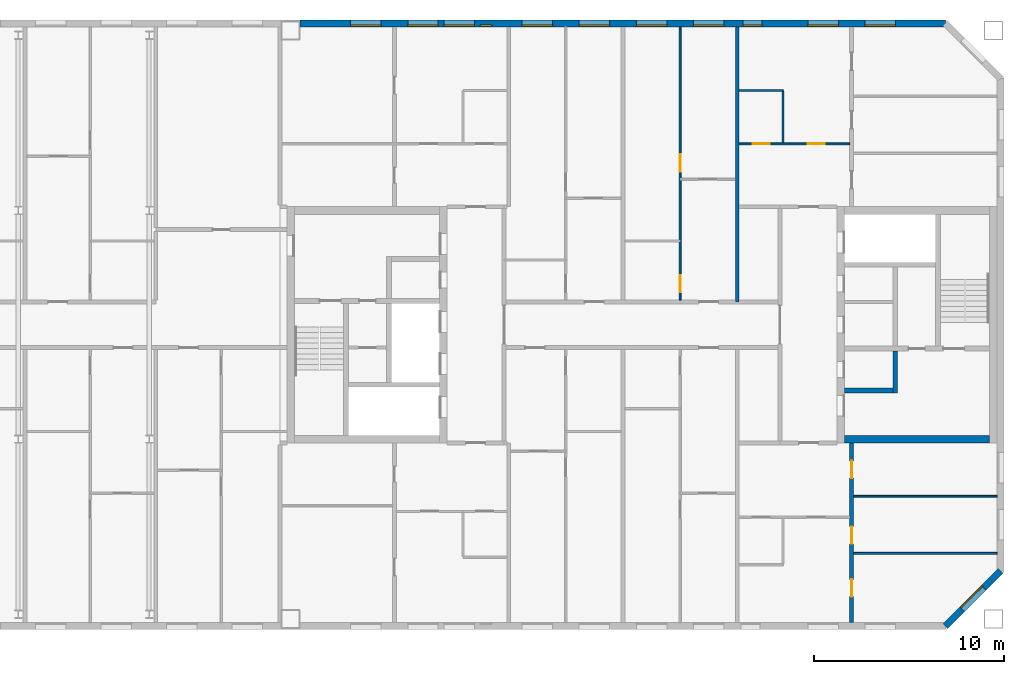
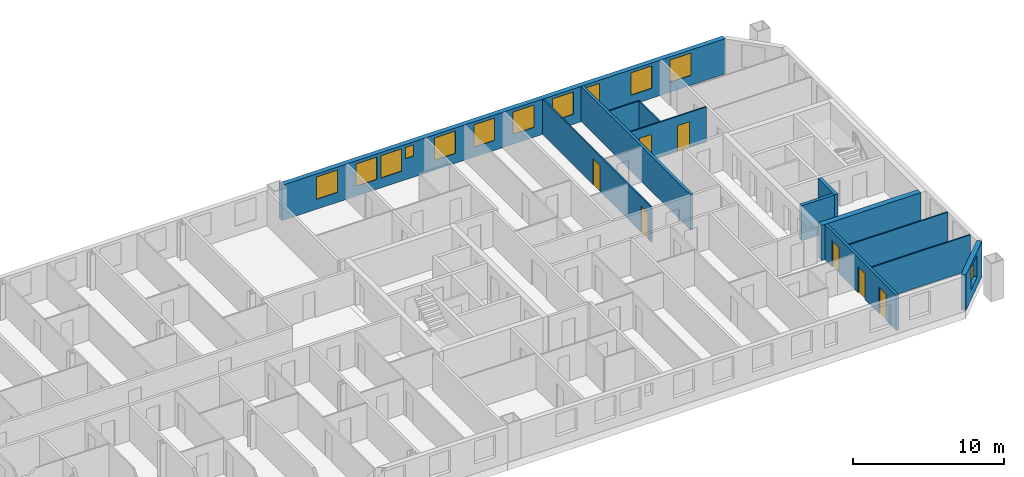
# One storey, part 16 of 19: 13 walls, 12 windows, 7 doors, 19 openings.
"""IFC4 building model written with IfcOpenShell, lengths in metres."""

from ifc_helpers import new_model, si_unit, direction, frame, frame_2d, origin, place, context, subcontext, project, spatial, rectangle, extrude, material, layer, layer_set, type_object, element, fill, save


model = new_model("IFC4")

# Units and contexts
model_context = context("Model", 3, precision=1e-05, world=origin(), true_north=direction((0.0, 1.0)))
body_context = subcontext(model_context, "Body", "Model", "MODEL_VIEW")
ifc_project = project(units=[si_unit("LENGTHUNIT", "METRE"), si_unit("AREAUNIT", "SQUARE_METRE"), si_unit("VOLUMEUNIT", "CUBIC_METRE"), si_unit("PLANEANGLEUNIT", "RADIAN"), si_unit("MASSUNIT", "GRAM", prefix="KILO")], contexts=[model_context])

# Site, building, storey
site_placement = place(None, origin())
site = spatial("IfcSite", under=ifc_project, at=site_placement, CompositionType="ELEMENT")
building_placement = place(site_placement, origin())
building = spatial("IfcBuilding", under=site, at=building_placement, Name="Tuart Gate Housing", CompositionType="ELEMENT")
storey_placement = place(building_placement, frame((0.0, 0.0, 221.39990234375)))
storey = spatial("IfcBuildingStorey", under=building, at=storey_placement, Name="L62", CompositionType="ELEMENT", Elevation=221.39990234375)

# Wall, opening, window
ifc_material_1 = material(Name="Brick", Category="masonry")
ifc_layer_1 = layer(ifc_material_1, 0.360107421875)
ifc_layer_set_1 = layer_set([ifc_layer_1], Name="Brick pier and spandrel wall 360")
wall_type_1 = type_object("IfcWallType", Name="Brick pier and spandrel wall 360", PredefinedType="STANDARD", material=ifc_layer_set_1)
wall_1_placement = place(storey_placement, frame((165.92529296875, 54.179931640625, 0.0), z_axis=(0.0, 0.0, 1.0), x_axis=(0.707106781187, 0.707106781187, 0.0)))
wall_1 = element("IfcWall", 1, at=wall_1_placement, inside=storey, type_object=wall_type_1, Name="External wall BLK-SE L62", PredefinedType="STANDARD", context=body_context, shape_type="SweptSolid", body=[
    extrude(rectangle(XDim=4.09375, YDim=0.360107421875, at=frame_2d((2.046875, 0.0))), origin(), (0.0, 0.0, 1.0), 2.85009765625),
])
opening_1_placement = place(wall_1_placement, frame((1.2470703125, 0.0, 0.800048828125)))
opening_1 = element("IfcOpeningElement", 2, at=opening_1_placement, cuts=wall_1, Name="Opening W1", PredefinedType="OPENING", context=body_context, shape_type="SweptSolid", body=[
    extrude(rectangle(XDim=1.60009765625, YDim=1.800048828125, at=frame_2d((0.800048828125, 0.89990234375))), frame((0.0, 0.18994140625, 0.0), z_axis=(0.0, -1.0, 0.0), x_axis=(1.0, 0.0, 0.0)), (0.0, 0.0, 1.0), 0.380126953125),
])
ifc_material_2 = material(Name="Aluminium frame with clear glass", Category="aluminium")
window_type_1 = type_object("IfcWindowType", Name="Punched window 1600 x 1800", PartitioningType="SINGLE_PANEL", PredefinedType="WINDOW", material=ifc_material_2)
window_1_placement = place(opening_1_placement, origin())
window_1 = element("IfcWindow", 3, at=window_1_placement, inside=storey, type_object=window_type_1, Name="Window W1", OverallHeight=1.800048828125, OverallWidth=1.60009765625, PartitioningType="SINGLE_PANEL", PredefinedType="WINDOW", context=body_context, shape_type="SweptSolid", body=[
    extrude(rectangle(XDim=1.60009765625, YDim=1.800048828125, at=frame_2d((0.800048828125, 0.89990234375))), frame((0.0, 0.150146484375, 0.0), z_axis=(0.0, -1.0, 0.0), x_axis=(1.0, 0.0, 0.0)), (0.0, 0.0, 1.0), 0.06005859375),
])
fill(opening_1, window_1)

# Wall, openings, windows
wall_2_placement = place(storey_placement, frame((165.92529296875, 85.820068359375, 0.0), z_axis=(0.0, 0.0, 1.0), x_axis=(-1.0, 0.0, 0.0)))
wall_2 = element("IfcWall", 4, at=wall_2_placement, inside=storey, type_object=wall_type_1, Name="External wall BLK-N L62", PredefinedType="STANDARD", context=body_context, shape_type="SweptSolid", body=[
    extrude(rectangle(XDim=33.875244140625, YDim=0.360107421875, at=frame_2d((16.9375, 0.0))), origin(), (0.0, 0.0, 1.0), 2.85009765625),
])
opening_2_placement = place(wall_2_placement, frame((2.62548828125, 0.0, 0.800048828125)))
opening_2 = element("IfcOpeningElement", 5, at=opening_2_placement, cuts=wall_2, Name="Opening W1", PredefinedType="OPENING", context=body_context, shape_type="SweptSolid", body=[
    extrude(rectangle(XDim=1.60009765625, YDim=1.800048828125, at=frame_2d((0.800048828125, 0.89990234375))), frame((0.0, 0.18994140625, 0.0), z_axis=(0.0, -1.0, 0.0), x_axis=(1.0, 0.0, 0.0)), (0.0, 0.0, 1.0), 0.380126953125),
])
opening_3_placement = place(wall_2_placement, frame((5.62548828125, 0.0, 0.800048828125)))
opening_3 = element("IfcOpeningElement", 6, at=opening_3_placement, cuts=wall_2, Name="Opening W1", PredefinedType="OPENING", context=body_context, shape_type="SweptSolid", body=[
    extrude(rectangle(XDim=1.60009765625, YDim=1.800048828125, at=frame_2d((0.800048828125, 0.89990234375))), frame((0.0, 0.18994140625, 0.0), z_axis=(0.0, -1.0, 0.0), x_axis=(1.0, 0.0, 0.0)), (0.0, 0.0, 1.0), 0.380126953125),
])
opening_4_placement = place(wall_2_placement, frame((9.62548828125, 0.0, 0.800048828125)))
opening_4 = element("IfcOpeningElement", 7, at=opening_4_placement, cuts=wall_2, Name="Opening W1C", PredefinedType="OPENING", context=body_context, shape_type="SweptSolid", body=[
    extrude(rectangle(XDim=1.0, YDim=1.800048828125, at=frame_2d((0.5, 0.89990234375))), frame((0.0, 0.18994140625, 0.0), z_axis=(0.0, -1.0, 0.0), x_axis=(1.0, 0.0, 0.0)), (0.0, 0.0, 1.0), 0.380126953125),
])
opening_5_placement = place(wall_2_placement, frame((11.62548828125, 0.0, 0.800048828125)))
opening_5 = element("IfcOpeningElement", 8, at=opening_5_placement, cuts=wall_2, Name="Opening W1", PredefinedType="OPENING", context=body_context, shape_type="SweptSolid", body=[
    extrude(rectangle(XDim=1.60009765625, YDim=1.800048828125, at=frame_2d((0.800048828125, 0.89990234375))), frame((0.0, 0.18994140625, 0.0), z_axis=(0.0, -1.0, 0.0), x_axis=(1.0, 0.0, 0.0)), (0.0, 0.0, 1.0), 0.380126953125),
])
opening_6_placement = place(wall_2_placement, frame((14.62548828125, 0.0, 0.800048828125)))
opening_6 = element("IfcOpeningElement", 9, at=opening_6_placement, cuts=wall_2, Name="Opening W1", PredefinedType="OPENING", context=body_context, shape_type="SweptSolid", body=[
    extrude(rectangle(XDim=1.60009765625, YDim=1.800048828125, at=frame_2d((0.800048828125, 0.89990234375))), frame((0.0, 0.18994140625, 0.0), z_axis=(0.0, -1.0, 0.0), x_axis=(1.0, 0.0, 0.0)), (0.0, 0.0, 1.0), 0.380126953125),
])
opening_7_placement = place(wall_2_placement, frame((17.62548828125, 0.0, 0.800048828125)))
opening_7 = element("IfcOpeningElement", 10, at=opening_7_placement, cuts=wall_2, Name="Opening W1", PredefinedType="OPENING", context=body_context, shape_type="SweptSolid", body=[
    extrude(rectangle(XDim=1.60009765625, YDim=1.800048828125, at=frame_2d((0.800048828125, 0.89990234375))), frame((0.0, 0.18994140625, 0.0), z_axis=(0.0, -1.0, 0.0), x_axis=(1.0, 0.0, 0.0)), (0.0, 0.0, 1.0), 0.380126953125),
])
opening_8_placement = place(wall_2_placement, frame((20.62548828125, 0.0, 0.800048828125)))
opening_8 = element("IfcOpeningElement", 11, at=opening_8_placement, cuts=wall_2, Name="Opening W1", PredefinedType="OPENING", context=body_context, shape_type="SweptSolid", body=[
    extrude(rectangle(XDim=1.60009765625, YDim=1.800048828125, at=frame_2d((0.800048828125, 0.89990234375))), frame((0.0, 0.18994140625, 0.0), z_axis=(0.0, -1.0, 0.0), x_axis=(1.0, 0.0, 0.0)), (0.0, 0.0, 1.0), 0.380126953125),
])
opening_9_placement = place(wall_2_placement, frame((23.825439453125, 0.0, 1.699951171875)))
opening_9 = element("IfcOpeningElement", 12, at=opening_9_placement, cuts=wall_2, Name="Opening W1W", PredefinedType="OPENING", context=body_context, shape_type="SweptSolid", body=[
    extrude(rectangle(XDim=0.60009765625, YDim=0.89990234375, at=frame_2d((0.300048828125, 0.449951171875))), frame((0.0, 0.18994140625, 0.0), z_axis=(0.0, -1.0, 0.0), x_axis=(1.0, 0.0, 0.0)), (0.0, 0.0, 1.0), 0.380126953125),
])
opening_10_placement = place(wall_2_placement, frame((26.62548828125, 0.0, 0.800048828125)))
opening_10 = element("IfcOpeningElement", 13, at=opening_10_placement, cuts=wall_2, Name="Opening W1", PredefinedType="OPENING", context=body_context, shape_type="SweptSolid", body=[
    extrude(rectangle(XDim=1.60009765625, YDim=1.800048828125, at=frame_2d((0.800048828125, 0.89990234375))), frame((0.0, 0.18994140625, 0.0), z_axis=(0.0, -1.0, 0.0), x_axis=(1.0, 0.0, 0.0)), (0.0, 0.0, 1.0), 0.380126953125),
])
opening_11_placement = place(wall_2_placement, frame((29.62548828125, 0.0, 0.800048828125)))
opening_11 = element("IfcOpeningElement", 14, at=opening_11_placement, cuts=wall_2, Name="Opening W1", PredefinedType="OPENING", context=body_context, shape_type="SweptSolid", body=[
    extrude(rectangle(XDim=1.60009765625, YDim=1.800048828125, at=frame_2d((0.800048828125, 0.89990234375))), frame((0.0, 0.18994140625, 0.0), z_axis=(0.0, -1.0, 0.0), x_axis=(1.0, 0.0, 0.0)), (0.0, 0.0, 1.0), 0.380126953125),
])
opening_12_placement = place(wall_2_placement, frame((24.725341796875, 0.0, 0.800048828125)))
opening_12 = element("IfcOpeningElement", 15, at=opening_12_placement, cuts=wall_2, Name="Opening W1", PredefinedType="OPENING", context=body_context, shape_type="SweptSolid", body=[
    extrude(rectangle(XDim=1.60009765625, YDim=1.800048828125, at=frame_2d((0.800048828125, 0.89990234375))), frame((0.0, 0.18994140625, 0.0), z_axis=(0.0, -1.0, 0.0), x_axis=(1.0, 0.0, 0.0)), (0.0, 0.0, 1.0), 0.380126953125),
])
ifc_material_3 = material(Name="Aluminium frame with clear glass", Category="aluminium")
window_type_2 = type_object("IfcWindowType", Name="Punched window 1000 x 1800", PartitioningType="SINGLE_PANEL", PredefinedType="WINDOW", material=ifc_material_3)
window_2_placement = place(opening_4_placement, origin())
window_2 = element("IfcWindow", 16, at=window_2_placement, inside=storey, type_object=window_type_2, Name="Window W1C", OverallHeight=1.800048828125, OverallWidth=1.0, PartitioningType="SINGLE_PANEL", PredefinedType="WINDOW", context=body_context, shape_type="SweptSolid", body=[
    extrude(rectangle(XDim=1.0, YDim=1.800048828125, at=frame_2d((0.5, 0.89990234375))), frame((0.0, 0.150146484375, 0.0), z_axis=(0.0, -1.0, 0.0), x_axis=(1.0, 0.0, 0.0)), (0.0, 0.0, 1.0), 0.06005859375),
])
fill(opening_4, window_2)
window_3_placement = place(opening_2_placement, origin())
window_3 = element("IfcWindow", 17, at=window_3_placement, inside=storey, type_object=window_type_1, Name="Window W1", OverallHeight=1.800048828125, OverallWidth=1.60009765625, PartitioningType="SINGLE_PANEL", PredefinedType="WINDOW", context=body_context, shape_type="SweptSolid", body=[
    extrude(rectangle(XDim=1.60009765625, YDim=1.800048828125, at=frame_2d((0.800048828125, 0.89990234375))), frame((0.0, 0.150146484375, 0.0), z_axis=(0.0, -1.0, 0.0), x_axis=(1.0, 0.0, 0.0)), (0.0, 0.0, 1.0), 0.06005859375),
])
fill(opening_2, window_3)
window_4_placement = place(opening_3_placement, origin())
window_4 = element("IfcWindow", 18, at=window_4_placement, inside=storey, type_object=window_type_1, Name="Window W1", OverallHeight=1.800048828125, OverallWidth=1.60009765625, PartitioningType="SINGLE_PANEL", PredefinedType="WINDOW", context=body_context, shape_type="SweptSolid", body=[
    extrude(rectangle(XDim=1.60009765625, YDim=1.800048828125, at=frame_2d((0.800048828125, 0.89990234375))), frame((0.0, 0.150146484375, 0.0), z_axis=(0.0, -1.0, 0.0), x_axis=(1.0, 0.0, 0.0)), (0.0, 0.0, 1.0), 0.06005859375),
])
fill(opening_3, window_4)
window_5_placement = place(opening_5_placement, origin())
window_5 = element("IfcWindow", 19, at=window_5_placement, inside=storey, type_object=window_type_1, Name="Window W1", OverallHeight=1.800048828125, OverallWidth=1.60009765625, PartitioningType="SINGLE_PANEL", PredefinedType="WINDOW", context=body_context, shape_type="SweptSolid", body=[
    extrude(rectangle(XDim=1.60009765625, YDim=1.800048828125, at=frame_2d((0.800048828125, 0.89990234375))), frame((0.0, 0.150146484375, 0.0), z_axis=(0.0, -1.0, 0.0), x_axis=(1.0, 0.0, 0.0)), (0.0, 0.0, 1.0), 0.06005859375),
])
fill(opening_5, window_5)
window_6_placement = place(opening_6_placement, origin())
window_6 = element("IfcWindow", 20, at=window_6_placement, inside=storey, type_object=window_type_1, Name="Window W1", OverallHeight=1.800048828125, OverallWidth=1.60009765625, PartitioningType="SINGLE_PANEL", PredefinedType="WINDOW", context=body_context, shape_type="SweptSolid", body=[
    extrude(rectangle(XDim=1.60009765625, YDim=1.800048828125, at=frame_2d((0.800048828125, 0.89990234375))), frame((0.0, 0.150146484375, 0.0), z_axis=(0.0, -1.0, 0.0), x_axis=(1.0, 0.0, 0.0)), (0.0, 0.0, 1.0), 0.06005859375),
])
fill(opening_6, window_6)
window_7_placement = place(opening_7_placement, origin())
window_7 = element("IfcWindow", 21, at=window_7_placement, inside=storey, type_object=window_type_1, Name="Window W1", OverallHeight=1.800048828125, OverallWidth=1.60009765625, PartitioningType="SINGLE_PANEL", PredefinedType="WINDOW", context=body_context, shape_type="SweptSolid", body=[
    extrude(rectangle(XDim=1.60009765625, YDim=1.800048828125, at=frame_2d((0.800048828125, 0.89990234375))), frame((0.0, 0.150146484375, 0.0), z_axis=(0.0, -1.0, 0.0), x_axis=(1.0, 0.0, 0.0)), (0.0, 0.0, 1.0), 0.06005859375),
])
fill(opening_7, window_7)
window_8_placement = place(opening_8_placement, origin())
window_8 = element("IfcWindow", 22, at=window_8_placement, inside=storey, type_object=window_type_1, Name="Window W1", OverallHeight=1.800048828125, OverallWidth=1.60009765625, PartitioningType="SINGLE_PANEL", PredefinedType="WINDOW", context=body_context, shape_type="SweptSolid", body=[
    extrude(rectangle(XDim=1.60009765625, YDim=1.800048828125, at=frame_2d((0.800048828125, 0.89990234375))), frame((0.0, 0.150146484375, 0.0), z_axis=(0.0, -1.0, 0.0), x_axis=(1.0, 0.0, 0.0)), (0.0, 0.0, 1.0), 0.06005859375),
])
fill(opening_8, window_8)
window_9_placement = place(opening_10_placement, origin())
window_9 = element("IfcWindow", 23, at=window_9_placement, inside=storey, type_object=window_type_1, Name="Window W1", OverallHeight=1.800048828125, OverallWidth=1.60009765625, PartitioningType="SINGLE_PANEL", PredefinedType="WINDOW", context=body_context, shape_type="SweptSolid", body=[
    extrude(rectangle(XDim=1.60009765625, YDim=1.800048828125, at=frame_2d((0.800048828125, 0.89990234375))), frame((0.0, 0.150146484375, 0.0), z_axis=(0.0, -1.0, 0.0), x_axis=(1.0, 0.0, 0.0)), (0.0, 0.0, 1.0), 0.06005859375),
])
fill(opening_10, window_9)
window_10_placement = place(opening_11_placement, origin())
window_10 = element("IfcWindow", 24, at=window_10_placement, inside=storey, type_object=window_type_1, Name="Window W1", OverallHeight=1.800048828125, OverallWidth=1.60009765625, PartitioningType="SINGLE_PANEL", PredefinedType="WINDOW", context=body_context, shape_type="SweptSolid", body=[
    extrude(rectangle(XDim=1.60009765625, YDim=1.800048828125, at=frame_2d((0.800048828125, 0.89990234375))), frame((0.0, 0.150146484375, 0.0), z_axis=(0.0, -1.0, 0.0), x_axis=(1.0, 0.0, 0.0)), (0.0, 0.0, 1.0), 0.06005859375),
])
fill(opening_11, window_10)
window_11_placement = place(opening_12_placement, origin())
window_11 = element("IfcWindow", 25, at=window_11_placement, inside=storey, type_object=window_type_1, Name="Window W1", OverallHeight=1.800048828125, OverallWidth=1.60009765625, PartitioningType="SINGLE_PANEL", PredefinedType="WINDOW", context=body_context, shape_type="SweptSolid", body=[
    extrude(rectangle(XDim=1.60009765625, YDim=1.800048828125, at=frame_2d((0.800048828125, 0.89990234375))), frame((0.0, 0.150146484375, 0.0), z_axis=(0.0, -1.0, 0.0), x_axis=(1.0, 0.0, 0.0)), (0.0, 0.0, 1.0), 0.06005859375),
])
fill(opening_12, window_11)
ifc_material_4 = material(Name="Aluminium frame with clear glass", Category="aluminium")
window_type_3 = type_object("IfcWindowType", Name="Punched window 600 x 900", PartitioningType="SINGLE_PANEL", PredefinedType="WINDOW", material=ifc_material_4)
window_12_placement = place(opening_9_placement, origin())
window_12 = element("IfcWindow", 26, at=window_12_placement, inside=storey, type_object=window_type_3, Name="Window W1W", OverallHeight=0.89990234375, OverallWidth=0.60009765625, PartitioningType="SINGLE_PANEL", PredefinedType="WINDOW", context=body_context, shape_type="SweptSolid", body=[
    extrude(rectangle(XDim=0.60009765625, YDim=0.89990234375, at=frame_2d((0.300048828125, 0.449951171875))), frame((0.0, 0.150146484375, 0.0), z_axis=(0.0, -1.0, 0.0), x_axis=(1.0, 0.0, 0.0)), (0.0, 0.0, 1.0), 0.06005859375),
])
fill(opening_9, window_12)

# Walls
ifc_material_5 = material(Name="Concrete C40", Category="concrete")
ifc_layer_2 = layer(ifc_material_5, 0.25)
ifc_layer_set_2 = layer_set([ifc_layer_2], Name="Core wall 250 C40")
wall_type_2 = type_object("IfcWallType", Name="Core wall 250 C40", PredefinedType="SHEAR", material=ifc_layer_set_2)
wall_3_placement = place(storey_placement, frame((160.639892578125, 66.550048828125, 0.0), z_axis=(0.0, 0.0, 1.0), x_axis=(1.0, 0.0, 0.0)))
element("IfcWall", 27, at=wall_3_placement, inside=storey, type_object=wall_type_2, Name="Core wall BK.4", PredefinedType="SHEAR", context=body_context, shape_type="SweptSolid", body=[
    extrude(rectangle(XDim=2.525146484375, YDim=0.25, at=frame_2d((1.2626953125, 0.0))), origin(), (0.0, 0.0, 1.0), 2.85009765625),
])
wall_4_placement = place(storey_placement, frame((163.2900390625, 68.625, 0.0), z_axis=(0.0, 0.0, 1.0), x_axis=(0.0, -1.0, 0.0)))
element("IfcWall", 28, at=wall_4_placement, inside=storey, type_object=wall_type_2, Name="Core wall BK.6", PredefinedType="SHEAR", context=body_context, shape_type="SweptSolid", body=[
    extrude(rectangle(XDim=2.199951171875, YDim=0.25, at=frame_2d((1.10009765625, 0.0))), origin(), (0.0, 0.0, 1.0), 2.85009765625),
])
ifc_material_6 = material(Name="Concrete C40", Category="concrete")
ifc_layer_3 = layer(ifc_material_6, 0.39990234375)
ifc_layer_set_3 = layer_set([ifc_layer_3], Name="Core wall 400 C40")
wall_type_3 = type_object("IfcWallType", Name="Core wall 400 C40", PredefinedType="SHEAR", material=ifc_layer_set_3)
wall_5_placement = place(storey_placement, frame((160.639892578125, 64.0, 0.0), z_axis=(0.0, 0.0, 1.0), x_axis=(1.0, 0.0, 0.0)))
element("IfcWall", 29, at=wall_5_placement, inside=storey, type_object=wall_type_3, Name="Core wall BK north", PredefinedType="SHEAR", context=body_context, shape_type="SweptSolid", body=[
    extrude(rectangle(XDim=7.60009765625, YDim=0.39990234375, at=frame_2d((3.800048828125, 0.0))), origin(), (0.0, 0.0, 1.0), 2.85009765625),
])
ifc_material_7 = material(Name="Gypsum board on steel studs", Category="steel")
ifc_layer_4 = layer(ifc_material_7, 0.10009765625)
ifc_layer_set_4 = layer_set([ifc_layer_4], Name="Partition 100")
wall_type_4 = type_object("IfcWallType", Name="Partition 100", PredefinedType="PARTITIONING", material=ifc_layer_set_4)
for number, where, z_axis, x_axis, name in (
    (30, (161.10009765625, 58.0, 0.0), (0.0, 0.0, 1.0), (1.0, 0.0, 0.0), "Partition 100"),
    (31, (161.10009765625, 61.0, 0.0), (0.0, 0.0, 1.0), (1.0, 0.0, 0.0), "Partition 100"),
):
    element("IfcWall", number, at=place(storey_placement, frame(where, z_axis=z_axis, x_axis=x_axis)), inside=storey, type_object=wall_type_4, Name=name, PredefinedType="PARTITIONING", context=body_context, shape_type="SweptSolid", body=[
        extrude(rectangle(XDim=7.539794921875, YDim=0.10009765625, at=frame_2d((3.77001953125, 0.0))), origin(), (0.0, 0.0, 1.0), 2.85009765625),
    ])

# Wall, openings, doors
wall_6_placement = place(storey_placement, frame((155.10009765625, 79.5, 0.0), z_axis=(0.0, 0.0, 1.0), x_axis=(1.0, 0.0, 0.0)))
wall_6 = element("IfcWall", 32, at=wall_6_placement, inside=storey, type_object=wall_type_4, Name="Partition 100", PredefinedType="PARTITIONING", context=body_context, shape_type="SweptSolid", body=[
    extrude(rectangle(XDim=5.7998046875, YDim=0.10009765625, at=frame_2d((2.89990234375, 0.0))), origin(), (0.0, 0.0, 1.0), 2.85009765625),
])
opening_13_placement = place(wall_6_placement, frame((3.60009765625, 0.0, 0.0)))
opening_13 = element("IfcOpeningElement", 33, at=opening_13_placement, cuts=wall_6, Name="Opening D2399", PredefinedType="OPENING", context=body_context, shape_type="SweptSolid", body=[
    extrude(rectangle(XDim=0.89990234375, YDim=2.10009765625, at=frame_2d((0.449951171875, 1.050048828125))), frame((0.0, 0.06005859375, 0.0), z_axis=(0.0, -1.0, 0.0), x_axis=(1.0, 0.0, 0.0)), (0.0, 0.0, 1.0), 0.1201171875),
])
opening_14_placement = place(wall_6_placement, frame((0.699951171875, 0.0, 0.0)))
opening_14 = element("IfcOpeningElement", 34, at=opening_14_placement, cuts=wall_6, Name="Opening D2398", PredefinedType="OPENING", context=body_context, shape_type="SweptSolid", body=[
    extrude(rectangle(XDim=0.89990234375, YDim=2.10009765625, at=frame_2d((0.449951171875, 1.050048828125))), frame((0.0, 0.06005859375, 0.0), z_axis=(0.0, -1.0, 0.0), x_axis=(1.0, 0.0, 0.0)), (0.0, 0.0, 1.0), 0.1201171875),
])
ifc_material_8 = material(Name="Timber door leaf in steel frame", Category="steel")
door_type_1 = type_object("IfcDoorType", Name="Bathroom door 900 RH", OperationType="SINGLE_SWING_RIGHT", PredefinedType="DOOR", material=ifc_material_8)
door_1_placement = place(opening_14_placement, origin())
door_1 = element("IfcDoor", 35, at=door_1_placement, inside=storey, type_object=door_type_1, Name="Bathroom door", OperationType="SINGLE_SWING_RIGHT", OverallHeight=2.10009765625, OverallWidth=0.89990234375, PredefinedType="DOOR", context=body_context, shape_type="SweptSolid", body=[
    extrude(rectangle(XDim=0.89990234375, YDim=2.10009765625, at=frame_2d((0.449951171875, 1.050048828125))), frame((0.0, 0.02490234375, 0.0), z_axis=(0.0, -1.0, 0.0), x_axis=(1.0, 0.0, 0.0)), (0.0, 0.0, 1.0), 0.050048828125),
])
fill(opening_14, door_1)
ifc_material_9 = material(Name="Timber door leaf in steel frame", Category="steel")
door_type_2 = type_object("IfcDoorType", Name="Internal door 900", OperationType="SINGLE_SWING_LEFT", PredefinedType="DOOR", material=ifc_material_9)
door_2_placement = place(opening_13_placement, frame((0.89990234375, 0.0, 0.0), z_axis=(0.0, 0.0, 1.0), x_axis=(-1.0, 0.0, 0.0)))
door_2 = element("IfcDoor", 36, at=door_2_placement, inside=storey, type_object=door_type_2, Name="Internal door", OperationType="SINGLE_SWING_LEFT", OverallHeight=2.10009765625, OverallWidth=0.89990234375, PredefinedType="DOOR", context=body_context, shape_type="SweptSolid", body=[
    extrude(rectangle(XDim=0.89990234375, YDim=2.10009765625, at=frame_2d((0.449951171875, 1.050048828125))), frame((0.0, 0.025146484375, 0.0), z_axis=(0.0, -1.0, 0.0), x_axis=(1.0, 0.0, 0.0)), (0.0, 0.0, 1.0), 0.050048828125),
])
fill(opening_13, door_2)

# Wall
wall_7_placement = place(storey_placement, frame((155.10009765625, 82.300048828125, 0.0), z_axis=(0.0, 0.0, 1.0), x_axis=(1.0, 0.0, 0.0)))
element("IfcWall", 37, at=wall_7_placement, inside=storey, type_object=wall_type_4, Name="Partition 100", PredefinedType="PARTITIONING", context=body_context, shape_type="SweptSolid", body=[
    extrude(rectangle(XDim=2.2998046875, YDim=0.10009765625, at=frame_2d((1.14990234375, 0.0))), origin(), (0.0, 0.0, 1.0), 2.85009765625),
])

# Wall, openings, doors
wall_8_placement = place(storey_placement, frame((152.0, 71.300048828125, 0.0), z_axis=(0.0, 0.0, 1.0), x_axis=(0.0, 1.0, 0.0)))
wall_8 = element("IfcWall", 38, at=wall_8_placement, inside=storey, type_object=wall_type_4, Name="Partition 100", PredefinedType="PARTITIONING", context=body_context, shape_type="SweptSolid", body=[
    extrude(rectangle(XDim=14.33984375, YDim=0.10009765625, at=frame_2d((7.169921875, 0.0))), origin(), (0.0, 0.0, 1.0), 2.85009765625),
])
opening_15_placement = place(wall_8_placement, frame((6.739990234375, 0.0, 0.0)))
opening_15 = element("IfcOpeningElement", 39, at=opening_15_placement, cuts=wall_8, Name="Opening D2403", PredefinedType="OPENING", context=body_context, shape_type="SweptSolid", body=[
    extrude(rectangle(XDim=0.89990234375, YDim=2.10009765625, at=frame_2d((0.449951171875, 1.050048828125))), frame((0.0, 0.06005859375, 0.0), z_axis=(0.0, -1.0, 0.0), x_axis=(1.0, 0.0, 0.0)), (0.0, 0.0, 1.0), 0.1201171875),
])
opening_16_placement = place(wall_8_placement, frame((0.39990234375, 0.0, 0.0)))
opening_16 = element("IfcOpeningElement", 40, at=opening_16_placement, cuts=wall_8, Name="Opening D2402", PredefinedType="OPENING", context=body_context, shape_type="SweptSolid", body=[
    extrude(rectangle(XDim=0.89990234375, YDim=2.10009765625, at=frame_2d((0.449951171875, 1.050048828125))), frame((0.0, 0.06005859375, 0.0), z_axis=(0.0, -1.0, 0.0), x_axis=(1.0, 0.0, 0.0)), (0.0, 0.0, 1.0), 0.1201171875),
])
ifc_material_10 = material(Name="Timber door leaf in steel frame", Category="steel")
door_type_3 = type_object("IfcDoorType", Name="Bathroom door 900", OperationType="SINGLE_SWING_LEFT", PredefinedType="DOOR", material=ifc_material_10)
door_3_placement = place(opening_16_placement, origin())
door_3 = element("IfcDoor", 41, at=door_3_placement, inside=storey, type_object=door_type_3, Name="Bathroom door", OperationType="SINGLE_SWING_LEFT", OverallHeight=2.10009765625, OverallWidth=0.89990234375, PredefinedType="DOOR", context=body_context, shape_type="SweptSolid", body=[
    extrude(rectangle(XDim=0.89990234375, YDim=2.10009765625, at=frame_2d((0.449951171875, 1.050048828125))), frame((0.0, 0.02490234375, 0.0), z_axis=(0.0, -1.0, 0.0), x_axis=(1.0, 0.0, 0.0)), (0.0, 0.0, 1.0), 0.050048828125),
])
fill(opening_16, door_3)
door_4_placement = place(opening_15_placement, origin())
door_4 = element("IfcDoor", 42, at=door_4_placement, inside=storey, type_object=door_type_2, Name="Internal door", OperationType="SINGLE_SWING_LEFT", OverallHeight=2.10009765625, OverallWidth=0.89990234375, PredefinedType="DOOR", context=body_context, shape_type="SweptSolid", body=[
    extrude(rectangle(XDim=0.89990234375, YDim=2.10009765625, at=frame_2d((0.449951171875, 1.050048828125))), frame((0.0, 0.02490234375, 0.0), z_axis=(0.0, -1.0, 0.0), x_axis=(1.0, 0.0, 0.0)), (0.0, 0.0, 1.0), 0.050048828125),
])
fill(opening_15, door_4)

# Walls
wall_9_placement = place(storey_placement, frame((157.39990234375, 79.550048828125, 0.0), z_axis=(0.0, 0.0, 1.0), x_axis=(0.0, 1.0, 0.0)))
element("IfcWall", 43, at=wall_9_placement, inside=storey, type_object=wall_type_4, Name="Partition 100", PredefinedType="PARTITIONING", context=body_context, shape_type="SweptSolid", body=[
    extrude(rectangle(XDim=2.699951171875, YDim=0.10009765625, at=frame_2d((1.35009765625, 0.0))), origin(), (0.0, 0.0, 1.0), 2.85009765625),
])
ifc_material_11 = material(Name="Concrete C40", Category="concrete")
ifc_layer_5 = layer(ifc_material_11, 0.199951171875)
ifc_layer_set_5 = layer_set([ifc_layer_5], Name="Party wall concrete C40 200")
wall_type_5 = type_object("IfcWallType", Name="Party wall concrete C40 200", PredefinedType="SOLIDWALL", material=ifc_layer_set_5)
wall_10_placement = place(storey_placement, frame((155.0, 71.199951171875, 0.0), z_axis=(0.0, 0.0, 1.0), x_axis=(0.0, 1.0, 0.0)))
element("IfcWall", 44, at=wall_10_placement, inside=storey, type_object=wall_type_5, Name="Party wall concrete C40 200", PredefinedType="SOLIDWALL", context=body_context, shape_type="SweptSolid", body=[
    extrude(rectangle(XDim=14.43994140625, YDim=0.199951171875, at=frame_2d((7.219970703125, 0.0))), origin(), (0.0, 0.0, 1.0), 2.85009765625),
])

# Wall, openings, doors
wall_11_placement = place(storey_placement, frame((161.0, 54.360107421875, 0.0), z_axis=(0.0, 0.0, 1.0), x_axis=(0.0, 1.0, 0.0)))
wall_11 = element("IfcWall", 45, at=wall_11_placement, inside=storey, type_object=wall_type_5, Name="Party wall concrete C40 200", PredefinedType="SOLIDWALL", context=body_context, shape_type="SweptSolid", body=[
    extrude(rectangle(XDim=9.43994140625, YDim=0.199951171875, at=frame_2d((4.719970703125, 0.0))), origin(), (0.0, 0.0, 1.0), 2.85009765625),
])
opening_17_placement = place(wall_11_placement, frame((1.3701171875, 0.0, 0.0)))
opening_17 = element("IfcOpeningElement", 46, at=opening_17_placement, cuts=wall_11, Name="Opening D2440", PredefinedType="OPENING", context=body_context, shape_type="SweptSolid", body=[
    extrude(rectangle(XDim=0.89990234375, YDim=2.10009765625, at=frame_2d((0.449951171875, 1.050048828125))), frame((0.0, 0.10986328125, 0.0), z_axis=(0.0, -1.0, 0.0), x_axis=(1.0, 0.0, 0.0)), (0.0, 0.0, 1.0), 0.219970703125),
])
opening_18_placement = place(wall_11_placement, frame((4.139892578125, 0.0, 0.0)))
opening_18 = element("IfcOpeningElement", 47, at=opening_18_placement, cuts=wall_11, Name="Opening D2441", PredefinedType="OPENING", context=body_context, shape_type="SweptSolid", body=[
    extrude(rectangle(XDim=0.89990234375, YDim=2.10009765625, at=frame_2d((0.449951171875, 1.050048828125))), frame((0.0, 0.10986328125, 0.0), z_axis=(0.0, -1.0, 0.0), x_axis=(1.0, 0.0, 0.0)), (0.0, 0.0, 1.0), 0.219970703125),
])
opening_19_placement = place(wall_11_placement, frame((7.590087890625, 0.0, 0.0)))
opening_19 = element("IfcOpeningElement", 48, at=opening_19_placement, cuts=wall_11, Name="Opening D2442", PredefinedType="OPENING", context=body_context, shape_type="SweptSolid", body=[
    extrude(rectangle(XDim=0.89990234375, YDim=2.10009765625, at=frame_2d((0.449951171875, 1.050048828125))), frame((0.0, 0.10986328125, 0.0), z_axis=(0.0, -1.0, 0.0), x_axis=(1.0, 0.0, 0.0)), (0.0, 0.0, 1.0), 0.219970703125),
])
ifc_material_12 = material(Name="Timber door leaf in steel frame", Category="steel")
door_type_4 = type_object("IfcDoorType", Name="Internal door 900 RH", OperationType="SINGLE_SWING_RIGHT", PredefinedType="DOOR", material=ifc_material_12)
door_5_placement = place(opening_17_placement, frame((0.89990234375, 0.0, 0.0), z_axis=(0.0, 0.0, 1.0), x_axis=(-1.0, 0.0, 0.0)))
door_5 = element("IfcDoor", 49, at=door_5_placement, inside=storey, type_object=door_type_4, Name="Internal door", OperationType="SINGLE_SWING_RIGHT", OverallHeight=2.10009765625, OverallWidth=0.89990234375, PredefinedType="DOOR", context=body_context, shape_type="SweptSolid", body=[
    extrude(rectangle(XDim=0.89990234375, YDim=2.10009765625, at=frame_2d((0.449951171875, 1.050048828125))), frame((0.0, 0.025146484375, 0.0), z_axis=(0.0, -1.0, 0.0), x_axis=(1.0, 0.0, 0.0)), (0.0, 0.0, 1.0), 0.050048828125),
])
fill(opening_17, door_5)
door_6_placement = place(opening_18_placement, frame((0.89990234375, 0.0, 0.0), z_axis=(0.0, 0.0, 1.0), x_axis=(-1.0, 0.0, 0.0)))
door_6 = element("IfcDoor", 50, at=door_6_placement, inside=storey, type_object=door_type_4, Name="Internal door", OperationType="SINGLE_SWING_RIGHT", OverallHeight=2.10009765625, OverallWidth=0.89990234375, PredefinedType="DOOR", context=body_context, shape_type="SweptSolid", body=[
    extrude(rectangle(XDim=0.89990234375, YDim=2.10009765625, at=frame_2d((0.449951171875, 1.050048828125))), frame((0.0, 0.025146484375, 0.0), z_axis=(0.0, -1.0, 0.0), x_axis=(1.0, 0.0, 0.0)), (0.0, 0.0, 1.0), 0.050048828125),
])
fill(opening_18, door_6)
door_7_placement = place(opening_19_placement, frame((0.89990234375, 0.0, 0.0), z_axis=(0.0, 0.0, 1.0), x_axis=(-1.0, 0.0, 0.0)))
door_7 = element("IfcDoor", 51, at=door_7_placement, inside=storey, type_object=door_type_4, Name="Internal door", OperationType="SINGLE_SWING_RIGHT", OverallHeight=2.10009765625, OverallWidth=0.89990234375, PredefinedType="DOOR", context=body_context, shape_type="SweptSolid", body=[
    extrude(rectangle(XDim=0.89990234375, YDim=2.10009765625, at=frame_2d((0.449951171875, 1.050048828125))), frame((0.0, 0.025146484375, 0.0), z_axis=(0.0, -1.0, 0.0), x_axis=(1.0, 0.0, 0.0)), (0.0, 0.0, 1.0), 0.050048828125),
])
fill(opening_19, door_7)

save(model, "model.ifc")
